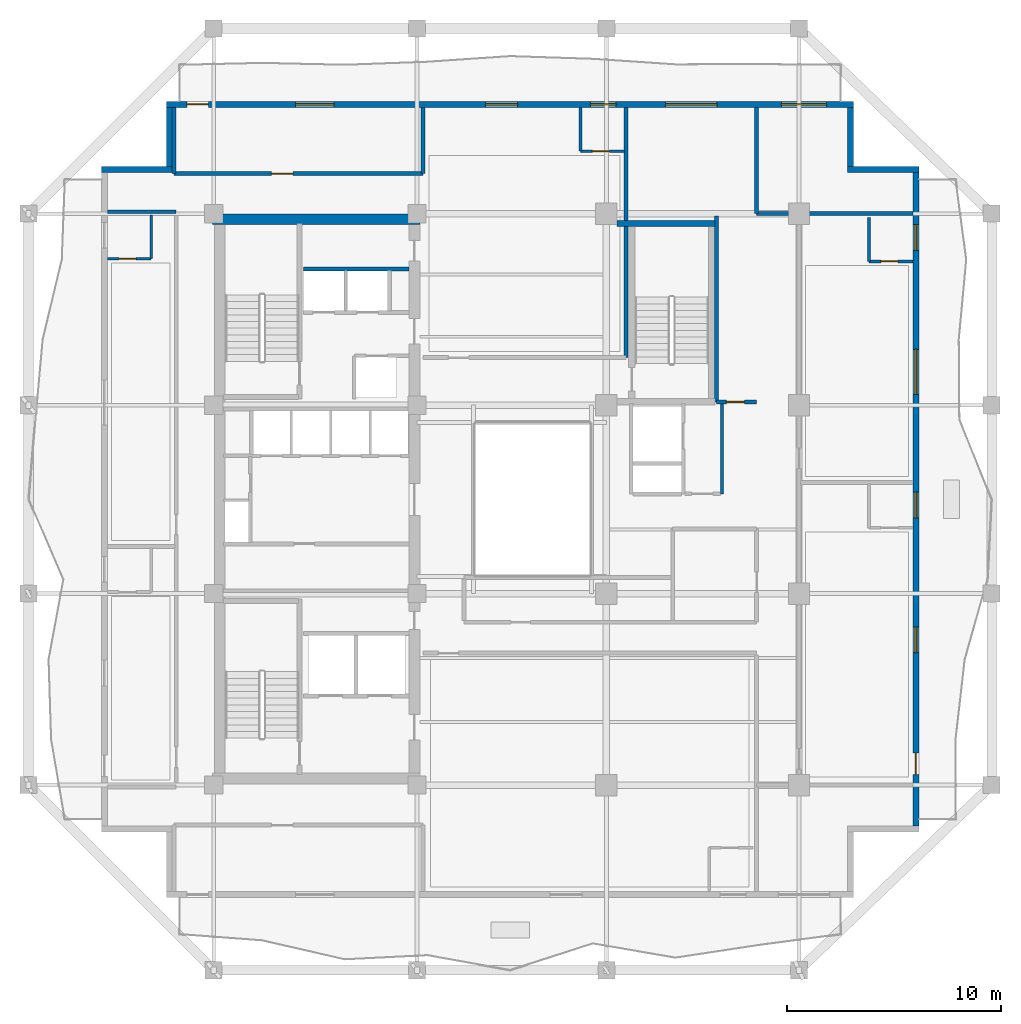
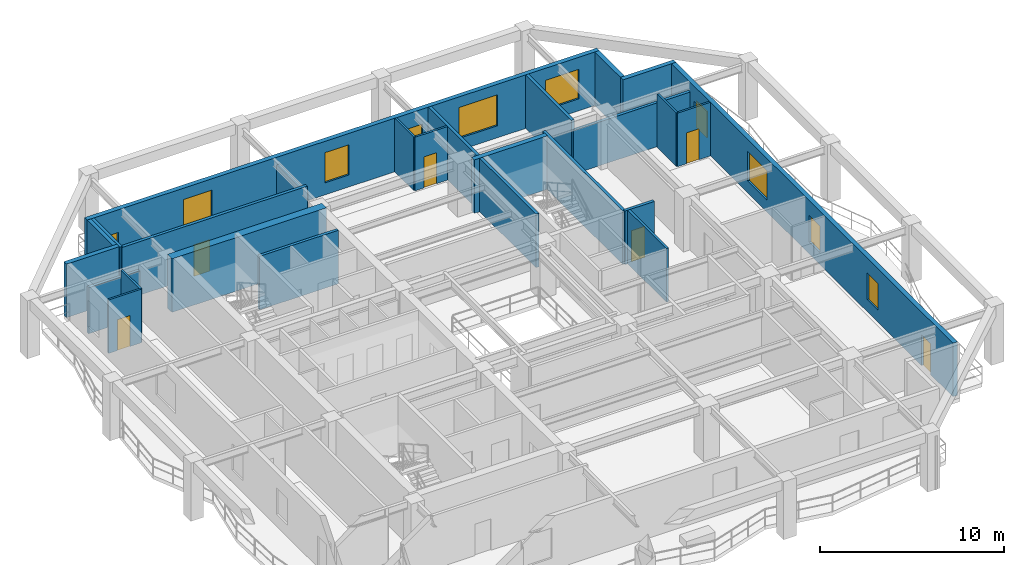
# One storey, part 5 of 10: 25 walls, 9 windows, 7 doors, 16 openings.
"""IFC4 building model written with IfcOpenShell, lengths in metres."""

import ifcopenshell
import ifcopenshell.guid

model = None  # the IFC model being written
_history = None  # IfcOwnerHistory: only IFC2X3 demands one
_inside = {}  # id of a spatial element -> (the spatial element, [elements in it])
_under = {}  # id of a project, library or spatial element -> (it, [spatial elements below it])
_declared = {}  # id of a project -> (the project, [libraries it declares])
_typed = {}  # id of a type object -> (the type object, [elements of that type])
_made_of = {}  # id of a material, layer set ... -> (it, [elements and type objects made of it])


def new_model(schema):
    """Start an empty IFC model of exactly this schema.

    Asked for "IFC4X3", IfcOpenShell would pick the latest addendum, in which some entities
    have other attributes; the version numbers below select the first issue.
    IFC2X3 requires an IfcOwnerHistory on every rooted entity: one is made here for all.
    """
    global model, _history
    if schema == "IFC4X3":
        model = ifcopenshell.file(schema_version=(4, 3, 0, 0))
    else:
        model = ifcopenshell.file(schema=schema)
    _inside.clear()
    _under.clear()
    _declared.clear()
    _typed.clear()
    _made_of.clear()
    _history = None
    if model.schema == "IFC2X3":
        org = make("IfcOrganization", Name="unknown")
        user = make(
            "IfcPersonAndOrganization",
            ThePerson=make("IfcPerson", FamilyName="unknown"),
            TheOrganization=org,
        )
        app = make(
            "IfcApplication",
            ApplicationDeveloper=org,
            Version="unknown",
            ApplicationFullName="unknown",
            ApplicationIdentifier="unknown",
        )
        _history = make(
            "IfcOwnerHistory",
            OwningUser=user,
            OwningApplication=app,
            ChangeAction="ADDED",
            CreationDate=0,
        )
    return model


def make(cls, **values):
    """One entity of the class cls with the attributes given. An attribute that is None is left unset."""
    return model.create_entity(
        cls, **{name: value for name, value in values.items() if value is not None}
    )


def rooted(cls, **values):
    """An entity with a GlobalId (a new one), such as an element, a storey or a relation."""
    return make(cls, GlobalId=ifcopenshell.guid.new(), OwnerHistory=_history, **values)


def si_unit(unit_type, name, prefix=None):
    """IfcSIUnit, for example si_unit("LENGTHUNIT", "METRE", prefix="MILLI")."""
    return make("IfcSIUnit", UnitType=unit_type, Prefix=prefix, Name=name)


def assignment(units):
    """IfcUnitAssignment: the units of a project."""
    return None if units is None else make("IfcUnitAssignment", Units=units)


def point(xyz):
    """IfcCartesianPoint."""
    return None if xyz is None else make("IfcCartesianPoint", Coordinates=xyz)


def direction(xyz):
    """IfcDirection."""
    return None if xyz is None else make("IfcDirection", DirectionRatios=xyz)


def frame(location, z_axis=None, x_axis=None):
    """IfcAxis2Placement3D, a coordinate frame: its origin and axes. An axis left out is left unset."""
    return make(
        "IfcAxis2Placement3D",
        Location=point(location),
        Axis=direction(z_axis),
        RefDirection=direction(x_axis),
    )


def frame_2d(location, x_axis=None):
    """IfcAxis2Placement2D, a coordinate frame in the plane: its origin and x axis."""
    return make(
        "IfcAxis2Placement2D", Location=point(location), RefDirection=direction(x_axis)
    )


def origin():
    """The frame at (0, 0, 0) with its axes left unset."""
    return frame((0.0, 0.0, 0.0))


def place(relative_to, where):
    """IfcLocalPlacement: puts the frame where relative to a parent placement (None: the world)."""
    return make(
        "IfcLocalPlacement", PlacementRelTo=relative_to, RelativePlacement=where
    )


def context(
    kind, dimensions, precision=None, world=None, true_north=None, identifier=None
):
    """IfcGeometricRepresentationContext, for example the 3D "Model" context."""
    return make(
        "IfcGeometricRepresentationContext",
        ContextIdentifier=identifier,
        ContextType=kind,
        CoordinateSpaceDimension=dimensions,
        Precision=precision,
        WorldCoordinateSystem=world,
        TrueNorth=true_north,
    )


def subcontext(parent, identifier, kind, view, scale=None):
    """IfcGeometricRepresentationSubContext, for example "Body" below "Model"."""
    return make(
        "IfcGeometricRepresentationSubContext",
        ContextIdentifier=identifier,
        ContextType=kind,
        ParentContext=parent,
        TargetScale=scale,
        TargetView=view,
    )


def project(units=None, contexts=None):
    """IfcProject with its units and contexts."""
    return rooted(
        "IfcProject",
        Name="project",
        RepresentationContexts=contexts,
        UnitsInContext=assignment(units),
    )


def spatial(cls, under=None, at=None, **own):
    """A site, building, storey or space (cls), placed at a placement, below another one or the project."""
    s = rooted(cls, ObjectPlacement=at, **own)
    if under is not None:
        _under.setdefault(under.id(), (under, []))[1].append(s)
    return s


def profile(cls, at=None, kind="AREA", **sizes):
    """A parametric profile (cls). Its sizes go by their IFC names, for example OverallWidth=200.0."""
    return make(cls, ProfileType=kind, Position=at, **sizes)


def rectangle(**sizes):
    """IfcRectangleProfileDef."""
    return profile("IfcRectangleProfileDef", **sizes)


def extrude(swept, where, along, depth):
    """IfcExtrudedAreaSolid: the profile swept, set in the frame where, extruded along a direction by depth."""
    return make(
        "IfcExtrudedAreaSolid",
        SweptArea=swept,
        Position=where,
        ExtrudedDirection=direction(along),
        Depth=depth,
    )


def shape(context_of_items, identifier, shape_type, items):
    """IfcShapeRepresentation: the items that make up one representation, for example the "Body"."""
    return make(
        "IfcShapeRepresentation",
        ContextOfItems=context_of_items,
        RepresentationIdentifier=identifier,
        RepresentationType=shape_type,
        Items=items,
    )


def material(Name=None, Category=None):
    """IfcMaterial."""
    return make("IfcMaterial", Name=Name, Category=Category)


def layer(
    of_material, thickness, ventilated=None, Name=None, Category=None, Priority=None
):
    """IfcMaterialLayer: one layer of a wall or slab, of a material (None: an air gap)."""
    return make(
        "IfcMaterialLayer",
        Material=of_material,
        LayerThickness=thickness,
        IsVentilated=ventilated,
        Name=Name,
        Category=Category,
        Priority=Priority,
    )


def layer_set(layers, Name=None):
    """IfcMaterialLayerSet."""
    return make("IfcMaterialLayerSet", MaterialLayers=layers, LayerSetName=Name)


def made_of(thing, what):
    """Note that an element or type object is made of a material, layer set ...; save() writes the relation."""
    if what is not None:
        _made_of.setdefault(what.id(), (what, []))[1].append(thing)
    return thing


def type_object(cls, material=None, **own):
    """A type object (cls), such as IfcWallType, which elements share."""
    return made_of(rooted(cls, **own), material)


def element(
    cls,
    number,
    at=None,
    inside=None,
    cuts=None,
    type_object=None,
    material=None,
    context=None,
    identifier="Body",
    shape_type=None,
    held_by="IfcProductDefinitionShape",
    body=None,
    shapes=None,
    **own,
):
    """One element of the class cls, such as IfcWall. Its Tag is "e" and its number.

    at: its placement. inside: the storey or other place that contains it. cuts: it is an
    opening in that element (IfcRelVoidsElement). A single representation is given by context,
    identifier, shape_type and body (its items); several are given by shapes. held_by: the class
    of the entity that holds the representations. save() writes the other relations.
    """
    e = rooted(cls, Tag="e%d" % number, ObjectPlacement=at, **own)
    if body is not None:
        shapes = [shape(context, identifier, shape_type, body)]
    if shapes is not None:
        e.Representation = make(held_by, Representations=shapes)
    if inside is not None:
        _inside.setdefault(inside.id(), (inside, []))[1].append(e)
    if cuts is not None:
        rooted(
            "IfcRelVoidsElement", RelatingBuildingElement=cuts, RelatedOpeningElement=e
        )
    if type_object is not None:
        _typed.setdefault(type_object.id(), (type_object, []))[1].append(e)
    return made_of(e, material)


def fill(opening, filler):
    """IfcRelFillsElement: the door or window that sits in an opening."""
    return rooted(
        "IfcRelFillsElement",
        RelatingOpeningElement=opening,
        RelatedBuildingElement=filler,
    )


def aggregate(whole, parts):
    """IfcRelAggregates: a whole, such as a stair, and the parts it consists of."""
    return rooted("IfcRelAggregates", RelatingObject=whole, RelatedObjects=parts)


def save(model, path):
    """Write the relations noted so far, then the file.

    IfcRelAggregates (storeys below a building ...), IfcRelContainedInSpatialStructure (elements
    in a storey), IfcRelDefinesByType, IfcRelAssociatesMaterial and IfcRelDeclares: one each for
    every whole, place, type object, material and project.
    """
    for whole, parts in _under.values():
        aggregate(whole, parts)
    for where, things in _inside.values():
        rooted(
            "IfcRelContainedInSpatialStructure",
            RelatedElements=things,
            RelatingStructure=where,
        )
    for kind, things in _typed.values():
        rooted("IfcRelDefinesByType", RelatedObjects=things, RelatingType=kind)
    for what, things in _made_of.values():
        rooted("IfcRelAssociatesMaterial", RelatedObjects=things, RelatingMaterial=what)
    for by, libraries in _declared.values():
        rooted("IfcRelDeclares", RelatingContext=by, RelatedDefinitions=libraries)
    model.write(path)


model = new_model("IFC4")

# Units and contexts
model_context = context("Model", 3, precision=1e-05, world=origin(), true_north=direction((0.0, 1.0)))
body_context = subcontext(model_context, "Body", "Model", "MODEL_VIEW")
ifc_project = project(units=[si_unit("LENGTHUNIT", "METRE"), si_unit("AREAUNIT", "SQUARE_METRE"), si_unit("VOLUMEUNIT", "CUBIC_METRE"), si_unit("PLANEANGLEUNIT", "RADIAN"), si_unit("MASSUNIT", "GRAM", prefix="KILO")], contexts=[model_context])

# Site, building, storey
site_placement = place(None, origin())
site = spatial("IfcSite", under=ifc_project, at=site_placement, CompositionType="ELEMENT")
building_placement = place(site_placement, origin())
building = spatial("IfcBuilding", under=site, at=building_placement, Name="Kundavana Baori Tower", CompositionType="ELEMENT")
storey_placement = place(building_placement, frame((0.0, 0.0, 150.199951171875)))
storey = spatial("IfcBuildingStorey", under=building, at=storey_placement, Name="L36", CompositionType="ELEMENT", Elevation=150.199951171875)

# Wall
ifc_material_1 = material(Name="Concrete C50/60", Category="concrete")
ifc_layer_1 = layer(ifc_material_1, 0.5, Name="WL-CORE-500")
ifc_layer_set_1 = layer_set([ifc_layer_1], Name="Concrete C50/60")
wall_type_1 = type_object("IfcWallType", Name="WL-CORE-500", PredefinedType="SHEAR", material=ifc_layer_set_1)
wall_1_placement = place(storey_placement, frame((15.39990234375, 41.68994140625, 0.0), z_axis=(0.0, 0.0, 1.0), x_axis=(1.0, 0.0, 0.0)))
element("IfcWall", 1, at=wall_1_placement, inside=storey, type_object=wall_type_1, Name="L36 Offset Core North Shear Wall", PredefinedType="SHEAR", context=body_context, shape_type="SweptSolid", body=[
    extrude(rectangle(XDim=9.68017578125, YDim=0.5, at=frame_2d((4.840087890625, 0.0))), origin(), (0.0, 0.0, 1.0), 3.550048828125),
])

# Wall, openings, door, windows
ifc_material_2 = material(Name="Red-Buff Dholpur Sandstone Cladding on Concrete C40/50", Category="masonry")
ifc_layer_2 = layer(ifc_material_2, 0.280029296875, Name="WL-EXT-SAND-280")
ifc_layer_set_2 = layer_set([ifc_layer_2], Name="Red-Buff Dholpur Sandstone Cladding on Concrete C40/50")
wall_type_2 = type_object("IfcWallType", Name="WL-EXT-SAND-280", PredefinedType="STANDARD", material=ifc_layer_set_2)
wall_2_placement = place(storey_placement, frame((48.260009765625, 13.330078125, 0.0), z_axis=(0.0, 0.0, 1.0), x_axis=(0.0, 1.0, 0.0)))
wall_2 = element("IfcWall", 2, at=wall_2_placement, inside=storey, type_object=wall_type_2, Name="L36 Exterior Insulated Facade Wall 04", PredefinedType="STANDARD", context=body_context, shape_type="SweptSolid", body=[
    extrude(rectangle(XDim=30.5400390625, YDim=0.280029296875, at=frame_2d((15.27001953125, 0.0))), origin(), (0.0, 0.0, 1.0), 3.550048828125),
])
opening_1_placement = place(wall_2_placement, frame((2.409912109375, 0.0, 0.0)))
opening_1 = element("IfcOpeningElement", 3, at=opening_1_placement, cuts=wall_2, Name="Opening BD-1", PredefinedType="OPENING", context=body_context, shape_type="SweptSolid", body=[
    extrude(rectangle(XDim=1.0, YDim=2.050048828125, at=frame_2d((0.5, 1.02490234375))), frame((0.0, 0.14990234375, 0.0), z_axis=(0.0, -1.0, 0.0), x_axis=(1.0, 0.0, 0.0)), (0.0, 0.0, 1.0), 0.300048828125),
])
opening_2_placement = place(wall_2_placement, frame((8.10498046875, 0.0, 0.800048828125)))
opening_2 = element("IfcOpeningElement", 4, at=opening_2_placement, cuts=wall_2, Name="Opening W-03", PredefinedType="OPENING", context=body_context, shape_type="SweptSolid", body=[
    extrude(rectangle(XDim=1.199951171875, YDim=1.75, at=frame_2d((0.60009765625, 0.875))), frame((0.0, 0.14990234375, 0.0), z_axis=(0.0, -1.0, 0.0), x_axis=(1.0, 0.0, 0.0)), (0.0, 0.0, 1.0), 0.300048828125),
])
opening_3_placement = place(wall_2_placement, frame((14.405029296875, 0.0, 0.800048828125)))
opening_3 = element("IfcOpeningElement", 5, at=opening_3_placement, cuts=wall_2, Name="Opening W-03", PredefinedType="OPENING", context=body_context, shape_type="SweptSolid", body=[
    extrude(rectangle(XDim=1.199951171875, YDim=1.75, at=frame_2d((0.60009765625, 0.875))), frame((0.0, 0.14990234375, 0.0), z_axis=(0.0, -1.0, 0.0), x_axis=(1.0, 0.0, 0.0)), (0.0, 0.0, 1.0), 0.300048828125),
])
opening_4_placement = place(wall_2_placement, frame((20.179931640625, 0.0, 0.800048828125)))
opening_4 = element("IfcOpeningElement", 6, at=opening_4_placement, cuts=wall_2, Name="Opening W-05", PredefinedType="OPENING", context=body_context, shape_type="SweptSolid", body=[
    extrude(rectangle(XDim=2.10009765625, YDim=1.949951171875, at=frame_2d((1.050048828125, 0.97509765625))), frame((0.0, 0.14990234375, 0.0), z_axis=(0.0, -1.0, 0.0), x_axis=(1.0, 0.0, 0.0)), (0.0, 0.0, 1.0), 0.300048828125),
])
opening_5_placement = place(wall_2_placement, frame((26.905029296875, 0.0, 0.800048828125)))
opening_5 = element("IfcOpeningElement", 7, at=opening_5_placement, cuts=wall_2, Name="Opening W-03", PredefinedType="OPENING", context=body_context, shape_type="SweptSolid", body=[
    extrude(rectangle(XDim=1.199951171875, YDim=1.75, at=frame_2d((0.60009765625, 0.875))), frame((0.0, 0.14990234375, 0.0), z_axis=(0.0, -1.0, 0.0), x_axis=(1.0, 0.0, 0.0)), (0.0, 0.0, 1.0), 0.300048828125),
])
ifc_material_3 = material(Name="Architectural Patinated Bronze Metalwork")
door_type_1 = type_object("IfcDoorType", Name="DR-EXT-LOG-1000", OperationType="NOTDEFINED", PredefinedType="DOOR", material=ifc_material_3)
door_1_placement = place(opening_1_placement, frame((1.0, 0.0, 0.0), z_axis=(0.0, 0.0, 1.0), x_axis=(-1.0, 0.0, 0.0)))
door_1 = element("IfcDoor", 8, at=door_1_placement, inside=storey, type_object=door_type_1, Name="L36 Loggia Balcony Access Door E", OperationType="SINGLE_SWING_RIGHT", OverallHeight=2.050048828125, OverallWidth=1.0, PredefinedType="DOOR", context=body_context, shape_type="SweptSolid", body=[
    extrude(rectangle(XDim=1.0, YDim=2.050048828125, at=frame_2d((0.5, 1.02490234375))), frame((0.0, 0.02490234375, 0.0), z_axis=(0.0, -1.0, 0.0), x_axis=(1.0, 0.0, 0.0)), (0.0, 0.0, 1.0), 0.050048828125),
])
fill(opening_1, door_1)
ifc_material_4 = material(Name="Double-Glazed Solar-Control Low-E Insulated Glass", Category="glass")
window_type_1 = type_object("IfcWindowType", Name="WIN-LOG-1200x1750", PartitioningType="SINGLE_PANEL", PredefinedType="WINDOW", material=ifc_material_4)
window_1_placement = place(opening_2_placement, origin())
window_1 = element("IfcWindow", 9, at=window_1_placement, inside=storey, type_object=window_type_1, Name="L36 Recessed Loggia Window E-1", OverallHeight=1.75, OverallWidth=1.199951171875, PartitioningType="SINGLE_PANEL", PredefinedType="WINDOW", context=body_context, shape_type="SweptSolid", body=[
    extrude(rectangle(XDim=1.199951171875, YDim=1.75, at=frame_2d((0.60009765625, 0.875))), frame((0.0, 0.030029296875, 0.0), z_axis=(0.0, -1.0, 0.0), x_axis=(1.0, 0.0, 0.0)), (0.0, 0.0, 1.0), 0.06005859375),
])
fill(opening_2, window_1)
window_2_placement = place(opening_3_placement, origin())
window_2 = element("IfcWindow", 10, at=window_2_placement, inside=storey, type_object=window_type_1, Name="L36 Recessed Loggia Window E-2", OverallHeight=1.75, OverallWidth=1.199951171875, PartitioningType="SINGLE_PANEL", PredefinedType="WINDOW", context=body_context, shape_type="SweptSolid", body=[
    extrude(rectangle(XDim=1.199951171875, YDim=1.75, at=frame_2d((0.60009765625, 0.875))), frame((0.0, 0.030029296875, 0.0), z_axis=(0.0, -1.0, 0.0), x_axis=(1.0, 0.0, 0.0)), (0.0, 0.0, 1.0), 0.06005859375),
])
fill(opening_3, window_2)
window_3_placement = place(opening_5_placement, origin())
window_3 = element("IfcWindow", 11, at=window_3_placement, inside=storey, type_object=window_type_1, Name="L36 Recessed Loggia Window E-4", OverallHeight=1.75, OverallWidth=1.199951171875, PartitioningType="SINGLE_PANEL", PredefinedType="WINDOW", context=body_context, shape_type="SweptSolid", body=[
    extrude(rectangle(XDim=1.199951171875, YDim=1.75, at=frame_2d((0.60009765625, 0.875))), frame((0.0, 0.030029296875, 0.0), z_axis=(0.0, -1.0, 0.0), x_axis=(1.0, 0.0, 0.0)), (0.0, 0.0, 1.0), 0.06005859375),
])
fill(opening_5, window_3)
ifc_material_5 = material(Name="Double-Glazed Solar-Control Low-E Insulated Glass", Category="glass")
window_type_2 = type_object("IfcWindowType", Name="WIN-LOG-2100x1950", PartitioningType="SINGLE_PANEL", PredefinedType="WINDOW", material=ifc_material_5)
window_4_placement = place(opening_4_placement, origin())
window_4 = element("IfcWindow", 12, at=window_4_placement, inside=storey, type_object=window_type_2, Name="L36 Recessed Loggia Window E-3", OverallHeight=1.949951171875, OverallWidth=2.10009765625, PartitioningType="SINGLE_PANEL", PredefinedType="WINDOW", context=body_context, shape_type="SweptSolid", body=[
    extrude(rectangle(XDim=2.10009765625, YDim=1.949951171875, at=frame_2d((1.050048828125, 0.97509765625))), frame((0.0, 0.030029296875, 0.0), z_axis=(0.0, -1.0, 0.0), x_axis=(1.0, 0.0, 0.0)), (0.0, 0.0, 1.0), 0.06005859375),
])
fill(opening_4, window_4)

# Walls
wall_3_placement = place(storey_placement, frame((48.39990234375, 44.010009765625, 0.0), z_axis=(0.0, 0.0, 1.0), x_axis=(-1.0, 0.0, 0.0)))
element("IfcWall", 13, at=wall_3_placement, inside=storey, type_object=wall_type_2, Name="L36 Exterior Insulated Facade Wall 05", PredefinedType="STANDARD", context=body_context, shape_type="SweptSolid", body=[
    extrude(rectangle(XDim=3.329833984375, YDim=0.280029296875, at=frame_2d((1.6650390625, 0.0))), origin(), (0.0, 0.0, 1.0), 3.550048828125),
])
wall_4_placement = place(storey_placement, frame((45.2099609375, 44.14990234375, 0.0), z_axis=(0.0, 0.0, 1.0), x_axis=(0.0, 1.0, 0.0)))
element("IfcWall", 14, at=wall_4_placement, inside=storey, type_object=wall_type_2, Name="L36 Exterior Insulated Facade Wall 06", PredefinedType="STANDARD", context=body_context, shape_type="SweptSolid", body=[
    extrude(rectangle(XDim=2.77001953125, YDim=0.280029296875, at=frame_2d((1.385009765625, 0.0))), origin(), (0.0, 0.0, 1.0), 3.550048828125),
])

# Wall, openings, door, windows
wall_5_placement = place(storey_placement, frame((45.35009765625, 47.06005859375, 0.0), z_axis=(0.0, 0.0, 1.0), x_axis=(-1.0, 0.0, 0.0)))
wall_5 = element("IfcWall", 15, at=wall_5_placement, inside=storey, type_object=wall_type_2, Name="L36 Exterior Insulated Facade Wall 07", PredefinedType="STANDARD", context=body_context, shape_type="SweptSolid", body=[
    extrude(rectangle(XDim=32.10009765625, YDim=0.280029296875, at=frame_2d((16.050048828125, 0.0))), origin(), (0.0, 0.0, 1.0), 3.550048828125),
])
opening_6_placement = place(wall_5_placement, frame((30.14990234375, 0.0, 0.0)))
opening_6 = element("IfcOpeningElement", 16, at=opening_6_placement, cuts=wall_5, Name="Opening BD-1", PredefinedType="OPENING", context=body_context, shape_type="SweptSolid", body=[
    extrude(rectangle(XDim=1.0, YDim=2.050048828125, at=frame_2d((0.5, 1.02490234375))), frame((0.0, 0.14990234375, 0.0), z_axis=(0.0, -1.0, 0.0), x_axis=(1.0, 0.0, 0.0)), (0.0, 0.0, 1.0), 0.300048828125),
])
opening_7_placement = place(wall_5_placement, frame((24.27001953125, 0.0, 0.800048828125)))
opening_7 = element("IfcOpeningElement", 17, at=opening_7_placement, cuts=wall_5, Name="Opening W-01", PredefinedType="OPENING", context=body_context, shape_type="SweptSolid", body=[
    extrude(rectangle(XDim=1.800048828125, YDim=2.0, at=frame_2d((0.89990234375, 1.0))), frame((0.0, 0.14990234375, 0.0), z_axis=(0.0, -1.0, 0.0), x_axis=(1.0, 0.0, 0.0)), (0.0, 0.0, 1.0), 0.300048828125),
])
opening_8_placement = place(wall_5_placement, frame((15.695068359375, 0.0, 0.800048828125)))
opening_8 = element("IfcOpeningElement", 18, at=opening_8_placement, cuts=wall_5, Name="Opening W-02", PredefinedType="OPENING", context=body_context, shape_type="SweptSolid", body=[
    extrude(rectangle(XDim=1.5, YDim=2.0, at=frame_2d((0.75, 1.0))), frame((0.0, 0.14990234375, 0.0), z_axis=(0.0, -1.0, 0.0), x_axis=(1.0, 0.0, 0.0)), (0.0, 0.0, 1.0), 0.300048828125),
])
opening_9_placement = place(wall_5_placement, frame((11.094970703125, 0.0, 0.800048828125)))
opening_9 = element("IfcOpeningElement", 19, at=opening_9_placement, cuts=wall_5, Name="Opening W-03", PredefinedType="OPENING", context=body_context, shape_type="SweptSolid", body=[
    extrude(rectangle(XDim=1.199951171875, YDim=1.75, at=frame_2d((0.60009765625, 0.875))), frame((0.0, 0.14990234375, 0.0), z_axis=(0.0, -1.0, 0.0), x_axis=(1.0, 0.0, 0.0)), (0.0, 0.0, 1.0), 0.300048828125),
])
opening_10_placement = place(wall_5_placement, frame((6.3798828125, 0.0, 0.800048828125)))
opening_10 = element("IfcOpeningElement", 20, at=opening_10_placement, cuts=wall_5, Name="Opening W-04", PredefinedType="OPENING", context=body_context, shape_type="SweptSolid", body=[
    extrude(rectangle(XDim=2.39990234375, YDim=2.050048828125, at=frame_2d((1.199951171875, 1.02490234375))), frame((0.0, 0.14990234375, 0.0), z_axis=(0.0, -1.0, 0.0), x_axis=(1.0, 0.0, 0.0)), (0.0, 0.0, 1.0), 0.300048828125),
])
opening_11_placement = place(wall_5_placement, frame((1.27001953125, 0.0, 0.800048828125)))
opening_11 = element("IfcOpeningElement", 21, at=opening_11_placement, cuts=wall_5, Name="Opening W-05", PredefinedType="OPENING", context=body_context, shape_type="SweptSolid", body=[
    extrude(rectangle(XDim=2.10009765625, YDim=1.949951171875, at=frame_2d((1.050048828125, 0.97509765625))), frame((0.0, 0.14990234375, 0.0), z_axis=(0.0, -1.0, 0.0), x_axis=(1.0, 0.0, 0.0)), (0.0, 0.0, 1.0), 0.300048828125),
])
door_2_placement = place(opening_6_placement, frame((1.0, 0.0, 0.0), z_axis=(0.0, 0.0, 1.0), x_axis=(-1.0, 0.0, 0.0)))
door_2 = element("IfcDoor", 22, at=door_2_placement, inside=storey, type_object=door_type_1, Name="L36 Loggia Balcony Access Door N", OperationType="SINGLE_SWING_LEFT", OverallHeight=2.050048828125, OverallWidth=1.0, PredefinedType="DOOR", context=body_context, shape_type="SweptSolid", body=[
    extrude(rectangle(XDim=1.0, YDim=2.050048828125, at=frame_2d((0.5, 1.02490234375))), frame((0.0, 0.02490234375, 0.0), z_axis=(0.0, -1.0, 0.0), x_axis=(1.0, 0.0, 0.0)), (0.0, 0.0, 1.0), 0.050048828125),
])
fill(opening_6, door_2)
window_5_placement = place(opening_9_placement, origin())
window_5 = element("IfcWindow", 23, at=window_5_placement, inside=storey, type_object=window_type_1, Name="L36 Recessed Loggia Window N-3", OverallHeight=1.75, OverallWidth=1.199951171875, PartitioningType="SINGLE_PANEL", PredefinedType="WINDOW", context=body_context, shape_type="SweptSolid", body=[
    extrude(rectangle(XDim=1.199951171875, YDim=1.75, at=frame_2d((0.60009765625, 0.875))), frame((0.0, 0.030029296875, 0.0), z_axis=(0.0, -1.0, 0.0), x_axis=(1.0, 0.0, 0.0)), (0.0, 0.0, 1.0), 0.06005859375),
])
fill(opening_9, window_5)
ifc_material_6 = material(Name="Double-Glazed Solar-Control Low-E Insulated Glass", Category="glass")
window_type_3 = type_object("IfcWindowType", Name="WIN-LOG-1500x2000", PartitioningType="SINGLE_PANEL", PredefinedType="WINDOW", material=ifc_material_6)
window_6_placement = place(opening_8_placement, origin())
window_6 = element("IfcWindow", 24, at=window_6_placement, inside=storey, type_object=window_type_3, Name="L36 Recessed Loggia Window N-2", OverallHeight=2.0, OverallWidth=1.5, PartitioningType="SINGLE_PANEL", PredefinedType="WINDOW", context=body_context, shape_type="SweptSolid", body=[
    extrude(rectangle(XDim=1.5, YDim=2.0, at=frame_2d((0.75, 1.0))), frame((0.0, 0.030029296875, 0.0), z_axis=(0.0, -1.0, 0.0), x_axis=(1.0, 0.0, 0.0)), (0.0, 0.0, 1.0), 0.06005859375),
])
fill(opening_8, window_6)
ifc_material_7 = material(Name="Double-Glazed Solar-Control Low-E Insulated Glass", Category="glass")
window_type_4 = type_object("IfcWindowType", Name="WIN-LOG-1800x2000", PartitioningType="SINGLE_PANEL", PredefinedType="WINDOW", material=ifc_material_7)
window_7_placement = place(opening_7_placement, origin())
window_7 = element("IfcWindow", 25, at=window_7_placement, inside=storey, type_object=window_type_4, Name="L36 Recessed Loggia Window N-1", OverallHeight=2.0, OverallWidth=1.800048828125, PartitioningType="SINGLE_PANEL", PredefinedType="WINDOW", context=body_context, shape_type="SweptSolid", body=[
    extrude(rectangle(XDim=1.800048828125, YDim=2.0, at=frame_2d((0.89990234375, 1.0))), frame((0.0, 0.030029296875, 0.0), z_axis=(0.0, -1.0, 0.0), x_axis=(1.0, 0.0, 0.0)), (0.0, 0.0, 1.0), 0.06005859375),
])
fill(opening_7, window_7)
window_8_placement = place(opening_11_placement, origin())
window_8 = element("IfcWindow", 26, at=window_8_placement, inside=storey, type_object=window_type_2, Name="L36 Recessed Loggia Window N-5", OverallHeight=1.949951171875, OverallWidth=2.10009765625, PartitioningType="SINGLE_PANEL", PredefinedType="WINDOW", context=body_context, shape_type="SweptSolid", body=[
    extrude(rectangle(XDim=2.10009765625, YDim=1.949951171875, at=frame_2d((1.050048828125, 0.97509765625))), frame((0.0, 0.030029296875, 0.0), z_axis=(0.0, -1.0, 0.0), x_axis=(1.0, 0.0, 0.0)), (0.0, 0.0, 1.0), 0.06005859375),
])
fill(opening_11, window_8)
ifc_material_8 = material(Name="Double-Glazed Solar-Control Low-E Insulated Glass", Category="glass")
window_type_5 = type_object("IfcWindowType", Name="WIN-LOG-2400x2050", PartitioningType="SINGLE_PANEL", PredefinedType="WINDOW", material=ifc_material_8)
window_9_placement = place(opening_10_placement, origin())
window_9 = element("IfcWindow", 27, at=window_9_placement, inside=storey, type_object=window_type_5, Name="L36 Recessed Loggia Window N-4", OverallHeight=2.050048828125, OverallWidth=2.39990234375, PartitioningType="SINGLE_PANEL", PredefinedType="WINDOW", context=body_context, shape_type="SweptSolid", body=[
    extrude(rectangle(XDim=2.39990234375, YDim=2.050048828125, at=frame_2d((1.199951171875, 1.02490234375))), frame((0.0, 0.030029296875, 0.0), z_axis=(0.0, -1.0, 0.0), x_axis=(1.0, 0.0, 0.0)), (0.0, 0.0, 1.0), 0.06005859375),
])
fill(opening_10, window_9)

# Walls
wall_6_placement = place(storey_placement, frame((13.389892578125, 46.919921875, 0.0), z_axis=(0.0, 0.0, 1.0), x_axis=(0.0, -1.0, 0.0)))
element("IfcWall", 28, at=wall_6_placement, inside=storey, type_object=wall_type_2, Name="L36 Exterior Insulated Facade Wall 08", PredefinedType="STANDARD", context=body_context, shape_type="SweptSolid", body=[
    extrude(rectangle(XDim=2.77001953125, YDim=0.280029296875, at=frame_2d((1.385009765625, 0.0))), origin(), (0.0, 0.0, 1.0), 3.550048828125),
])
wall_7_placement = place(storey_placement, frame((13.530029296875, 44.010009765625, 0.0), z_axis=(0.0, 0.0, 1.0), x_axis=(-1.0, 0.0, 0.0)))
element("IfcWall", 29, at=wall_7_placement, inside=storey, type_object=wall_type_2, Name="L36 Exterior Insulated Facade Wall 09", PredefinedType="STANDARD", context=body_context, shape_type="SweptSolid", body=[
    extrude(rectangle(XDim=3.330078125, YDim=0.280029296875, at=frame_2d((1.6650390625, 0.0))), origin(), (0.0, 0.0, 1.0), 3.550048828125),
])
ifc_material_9 = material(Name="Fire-Rated Gypsum Drywall on Galvanised Steel Studs", Category="steel")
ifc_layer_3 = layer(ifc_material_9, 0.14990234375, Name="WL-PART-150")
ifc_layer_set_3 = layer_set([ifc_layer_3], Name="Fire-Rated Gypsum Drywall on Galvanised Steel Studs")
wall_type_3 = type_object("IfcWallType", Name="WL-PART-150", PredefinedType="PARTITIONING", material=ifc_layer_set_3)
wall_8_placement = place(storey_placement, frame((39.199951171875, 28.860107421875, 0.0), z_axis=(0.0, 0.0, 1.0), x_axis=(0.0, 1.0, 0.0)))
element("IfcWall", 30, at=wall_8_placement, inside=storey, type_object=wall_type_3, Name="WL-L36-SVLOB-E", PredefinedType="PARTITIONING", context=body_context, shape_type="SweptSolid", body=[
    extrude(rectangle(XDim=4.219970703125, YDim=0.14990234375, at=frame_2d((2.10986328125, 0.0))), origin(), (0.0, 0.0, 1.0), 3.550048828125),
])
ifc_material_10 = material(Name="Autoclaved Aerated Concrete Blockwork Masonry", Category="masonry")
ifc_layer_4 = layer(ifc_material_10, 0.18505859375, Name="WL-PART-180")
ifc_layer_set_4 = layer_set([ifc_layer_4], Name="Autoclaved Aerated Concrete Blockwork Masonry")
wall_type_4 = type_object("IfcWallType", Name="WL-PART-180", PredefinedType="SOLIDWALL", material=ifc_layer_set_4)
wall_9_placement = place(storey_placement, frame((40.820068359375, 41.949951171875, 0.0), z_axis=(0.0, 0.0, 1.0), x_axis=(1.0, 0.0, 0.0)))
element("IfcWall", 31, at=wall_9_placement, inside=storey, type_object=wall_type_4, Name="WL-L36-HEN", PredefinedType="SOLIDWALL", context=body_context, shape_type="SweptSolid", body=[
    extrude(rectangle(XDim=7.300048828125, YDim=0.18505859375, at=frame_2d((3.64990234375, 0.0))), origin(), (0.0, 0.0, 1.0), 2.900146484375),
])
wall_10_placement = place(storey_placement, frame((10.47998046875, 42.0400390625, 0.0), z_axis=(0.0, 0.0, 1.0), x_axis=(1.0, 0.0, 0.0)))
element("IfcWall", 32, at=wall_10_placement, inside=storey, type_object=wall_type_4, Name="WL-L36-HWN", PredefinedType="SOLIDWALL", context=body_context, shape_type="SweptSolid", body=[
    extrude(rectangle(XDim=3.219970703125, YDim=0.18505859375, at=frame_2d((1.60986328125, 0.0))), origin(), (0.0, 0.0, 1.0), 3.050048828125),
])

# Wall, opening, door
wall_11_placement = place(storey_placement, frame((13.590087890625, 43.820068359375, 0.0), z_axis=(0.0, 0.0, 1.0), x_axis=(1.0, 0.0, 0.0)))
wall_11 = element("IfcWall", 33, at=wall_11_placement, inside=storey, type_object=wall_type_4, Name="WL-L36-HNC", PredefinedType="SOLIDWALL", context=body_context, shape_type="SweptSolid", body=[
    extrude(rectangle(XDim=11.6298828125, YDim=0.18505859375, at=frame_2d((5.81494140625, 0.0))), origin(), (0.0, 0.0, 1.0), 3.550048828125),
])
opening_12_placement = place(wall_11_placement, frame((4.56005859375, 0.0, 0.0)))
opening_12 = element("IfcOpeningElement", 34, at=opening_12_placement, cuts=wall_11, Name="Opening ID-100", PredefinedType="OPENING", context=body_context, shape_type="SweptSolid", body=[
    extrude(rectangle(XDim=1.0, YDim=2.080078125, at=frame_2d((0.5, 1.0400390625))), frame((0.0, 0.1025390625, 0.0), z_axis=(0.0, -1.0, 0.0), x_axis=(1.0, 0.0, 0.0)), (0.0, 0.0, 1.0), 0.205078125),
])
ifc_material_11 = material(Name="Engineered Teak Solid-Core Timber Veneer", Category="wood")
door_type_2 = type_object("IfcDoorType", Name="DR-INT-1000", OperationType="NOTDEFINED", PredefinedType="DOOR", material=ifc_material_11)
door_3_placement = place(opening_12_placement, origin())
door_3 = element("IfcDoor", 35, at=door_3_placement, inside=storey, type_object=door_type_2, Name="DR-L36-HMNW", OperationType="SINGLE_SWING_RIGHT", OverallHeight=2.080078125, OverallWidth=1.0, PredefinedType="DOOR", context=body_context, shape_type="SweptSolid", body=[
    extrude(rectangle(XDim=1.0, YDim=2.080078125, at=frame_2d((0.5, 1.0400390625))), frame((0.0, 0.02490234375, 0.0), z_axis=(0.0, -1.0, 0.0), x_axis=(1.0, 0.0, 0.0)), (0.0, 0.0, 1.0), 0.050048828125),
])
fill(opening_12, door_3)

# Walls
wall_12_placement = place(storey_placement, frame((13.590087890625, 43.820068359375, 0.0), z_axis=(0.0, 0.0, 1.0), x_axis=(0.0, 1.0, 0.0)))
element("IfcWall", 36, at=wall_12_placement, inside=storey, type_object=wall_type_4, Name="WL-L36-HNCW", PredefinedType="SOLIDWALL", context=body_context, shape_type="SweptSolid", body=[
    extrude(rectangle(XDim=3.099853515625, YDim=0.18505859375, at=frame_2d((1.5498046875, 0.0))), origin(), (0.0, 0.0, 1.0), 3.550048828125),
])
wall_13_placement = place(storey_placement, frame((25.219970703125, 43.820068359375, 0.0), z_axis=(0.0, 0.0, 1.0), x_axis=(0.0, 1.0, 0.0)))
element("IfcWall", 37, at=wall_13_placement, inside=storey, type_object=wall_type_4, Name="WL-L36-HNCE", PredefinedType="SOLIDWALL", context=body_context, shape_type="SweptSolid", body=[
    extrude(rectangle(XDim=3.099853515625, YDim=0.18505859375, at=frame_2d((1.5498046875, 0.0))), origin(), (0.0, 0.0, 1.0), 3.050048828125),
])
wall_14_placement = place(storey_placement, frame((34.719970703125, 35.219970703125, 0.0), z_axis=(0.0, 0.0, 1.0), x_axis=(0.0, 1.0, 0.0)))
element("IfcWall", 38, at=wall_14_placement, inside=storey, type_object=wall_type_4, Name="WL-L36-HNEND", PredefinedType="SOLIDWALL", context=body_context, shape_type="SweptSolid", body=[
    extrude(rectangle(XDim=11.699951171875, YDim=0.18505859375, at=frame_2d((5.85009765625, 0.0))), origin(), (0.0, 0.0, 1.0), 3.550048828125),
])

# Wall, opening, door
wall_15_placement = place(storey_placement, frame((38.949951171875, 33.14990234375, 0.0), z_axis=(0.0, 0.0, 1.0), x_axis=(1.0, 0.0, 0.0)))
wall_15 = element("IfcWall", 39, at=wall_15_placement, inside=storey, type_object=wall_type_4, Name="WL-L36-HNES", PredefinedType="SOLIDWALL", context=body_context, shape_type="SweptSolid", body=[
    extrude(rectangle(XDim=1.8701171875, YDim=0.18505859375, at=frame_2d((0.93505859375, 0.0))), origin(), (0.0, 0.0, 1.0), 3.550048828125),
])
opening_13_placement = place(wall_15_placement, frame((0.449951171875, 0.0, 0.0)))
opening_13 = element("IfcOpeningElement", 40, at=opening_13_placement, cuts=wall_15, Name="Opening WD-085", PredefinedType="OPENING", context=body_context, shape_type="SweptSolid", body=[
    extrude(rectangle(XDim=0.85009765625, YDim=2.050048828125, at=frame_2d((0.425048828125, 1.02490234375))), frame((0.0, 0.1025390625, 0.0), z_axis=(0.0, -1.0, 0.0), x_axis=(1.0, 0.0, 0.0)), (0.0, 0.0, 1.0), 0.205078125),
])
ifc_material_12 = material(Name="Engineered Teak Solid-Core Timber Veneer", Category="wood")
door_type_3 = type_object("IfcDoorType", Name="DR-WET-850", OperationType="NOTDEFINED", PredefinedType="DOOR", material=ifc_material_12)
door_4_placement = place(opening_13_placement, origin())
door_4 = element("IfcDoor", 41, at=door_4_placement, inside=storey, type_object=door_type_3, Name="DR-L36-HLNE", OperationType="SINGLE_SWING_LEFT", OverallHeight=2.050048828125, OverallWidth=0.85009765625, PredefinedType="DOOR", context=body_context, shape_type="SweptSolid", body=[
    extrude(rectangle(XDim=0.85009765625, YDim=2.050048828125, at=frame_2d((0.425048828125, 1.02490234375))), frame((0.0, 0.02490234375, 0.0), z_axis=(0.0, -1.0, 0.0), x_axis=(1.0, 0.0, 0.0)), (0.0, 0.0, 1.0), 0.050048828125),
])
fill(opening_13, door_4)

# Walls
wall_16_placement = place(storey_placement, frame((38.949951171875, 33.14990234375, 0.0), z_axis=(0.0, 0.0, 1.0), x_axis=(0.0, 1.0, 0.0)))
element("IfcWall", 42, at=wall_16_placement, inside=storey, type_object=wall_type_4, Name="WL-L36-HNEW", PredefinedType="SOLIDWALL", context=body_context, shape_type="SweptSolid", body=[
    extrude(rectangle(XDim=8.7001953125, YDim=0.18505859375, at=frame_2d((4.35009765625, 0.0))), origin(), (0.0, 0.0, 1.0), 3.550048828125),
])
wall_17_placement = place(storey_placement, frame((40.820068359375, 41.949951171875, 0.0), z_axis=(0.0, 0.0, 1.0), x_axis=(0.0, 1.0, 0.0)))
element("IfcWall", 43, at=wall_17_placement, inside=storey, type_object=wall_type_4, Name="WL-L36-HNEE", PredefinedType="SOLIDWALL", context=body_context, shape_type="SweptSolid", body=[
    extrude(rectangle(XDim=4.969970703125, YDim=0.18505859375, at=frame_2d((2.48486328125, 0.0))), origin(), (0.0, 0.0, 1.0), 3.550048828125),
])
ifc_material_13 = material(Name="Autoclaved Aerated Concrete Blockwork Masonry", Category="masonry")
ifc_layer_5 = layer(ifc_material_13, 0.179931640625, Name="WL-SHAFT-180")
ifc_layer_set_5 = layer_set([ifc_layer_5], Name="Autoclaved Aerated Concrete Blockwork Masonry")
wall_type_5 = type_object("IfcWallType", Name="WL-SHAFT-180", PredefinedType="SOLIDWALL", material=ifc_layer_set_5)
wall_18_placement = place(storey_placement, frame((19.639892578125, 39.360107421875, 0.0), z_axis=(0.0, 0.0, 1.0), x_axis=(1.0, 0.0, 0.0)))
element("IfcWall", 44, at=wall_18_placement, inside=storey, type_object=wall_type_5, Name="WL-L36-HRLOB-TOP", PredefinedType="SOLIDWALL", context=body_context, shape_type="SweptSolid", body=[
    extrude(rectangle(XDim=4.940185546875, YDim=0.179931640625, at=frame_2d((2.47021484375, 0.0))), origin(), (0.0, 0.0, 1.0), 3.550048828125),
])
ifc_material_14 = material(Name="Concrete C50/60", Category="concrete")
ifc_layer_6 = layer(ifc_material_14, 0.300048828125, Name="WL-ST3-300")
ifc_layer_set_6 = layer_set([ifc_layer_6], Name="Concrete C50/60")
wall_type_6 = type_object("IfcWallType", Name="WL-ST3-300", PredefinedType="SHEAR", material=ifc_layer_set_6)
wall_19_placement = place(storey_placement, frame((34.300048828125, 41.489990234375, 0.0), z_axis=(0.0, 0.0, 1.0), x_axis=(1.0, 0.0, 0.0)))
element("IfcWall", 45, at=wall_19_placement, inside=storey, type_object=wall_type_6, Name="L36 Stair ST3 North Shear Wall", PredefinedType="SHEAR", context=body_context, shape_type="SweptSolid", body=[
    extrude(rectangle(XDim=4.570068359375, YDim=0.300048828125, at=frame_2d((2.28515625, 0.0))), origin(), (0.0, 0.0, 1.0), 3.550048828125),
])
ifc_material_15 = material(Name="Autoclaved Aerated Concrete Blockwork Masonry", Category="masonry")
ifc_layer_7 = layer(ifc_material_15, 0.125, Name="WL-WET-120")
ifc_layer_set_7 = layer_set([ifc_layer_7], Name="Autoclaved Aerated Concrete Blockwork Masonry")
wall_type_7 = type_object("IfcWallType", Name="WL-WET-120", PredefinedType="PLUMBINGWALL", material=ifc_layer_set_7)
wall_20_placement = place(storey_placement, frame((12.530029296875, 39.85009765625, 0.0), z_axis=(0.0, 0.0, 1.0), x_axis=(0.0, 1.0, 0.0)))
element("IfcWall", 46, at=wall_20_placement, inside=storey, type_object=wall_type_7, Name="WL-L36-HK-W2-BE", PredefinedType="PLUMBINGWALL", context=body_context, shape_type="SweptSolid", body=[
    extrude(rectangle(XDim=2.0498046875, YDim=0.125, at=frame_2d((1.02490234375, 0.0))), origin(), (0.0, 0.0, 1.0), 3.550048828125),
])

# Wall, opening, door
wall_21_placement = place(storey_placement, frame((10.47998046875, 39.85009765625, 0.0), z_axis=(0.0, 0.0, 1.0), x_axis=(1.0, 0.0, 0.0)))
wall_21 = element("IfcWall", 47, at=wall_21_placement, inside=storey, type_object=wall_type_7, Name="WL-L36-HK-W2-BS", PredefinedType="PLUMBINGWALL", context=body_context, shape_type="SweptSolid", body=[
    extrude(rectangle(XDim=2.050048828125, YDim=0.125, at=frame_2d((1.02490234375, 0.0))), origin(), (0.0, 0.0, 1.0), 3.550048828125),
])
opening_14_placement = place(wall_21_placement, frame((0.550048828125, 0.0, 0.0)))
opening_14 = element("IfcOpeningElement", 48, at=opening_14_placement, cuts=wall_21, Name="Opening WD-080", PredefinedType="OPENING", context=body_context, shape_type="SweptSolid", body=[
    extrude(rectangle(XDim=0.800048828125, YDim=2.050048828125, at=frame_2d((0.39990234375, 1.02490234375))), frame((0.0, 0.072509765625, 0.0), z_axis=(0.0, -1.0, 0.0), x_axis=(1.0, 0.0, 0.0)), (0.0, 0.0, 1.0), 0.14501953125),
])
ifc_material_16 = material(Name="Engineered Teak Solid-Core Timber Veneer", Category="wood")
door_type_4 = type_object("IfcDoorType", Name="DR-WET-800", OperationType="NOTDEFINED", PredefinedType="DOOR", material=ifc_material_16)
door_5_placement = place(opening_14_placement, frame((0.800048828125, 0.0, 0.0), z_axis=(0.0, 0.0, 1.0), x_axis=(-1.0, 0.0, 0.0)))
door_5 = element("IfcDoor", 49, at=door_5_placement, inside=storey, type_object=door_type_4, Name="DR-L36-HK-W2-ENS", OperationType="SINGLE_SWING_LEFT", OverallHeight=2.050048828125, OverallWidth=0.800048828125, PredefinedType="DOOR", context=body_context, shape_type="SweptSolid", body=[
    extrude(rectangle(XDim=0.800048828125, YDim=2.050048828125, at=frame_2d((0.39990234375, 1.02490234375))), frame((0.0, 0.02490234375, 0.0), z_axis=(0.0, -1.0, 0.0), x_axis=(1.0, 0.0, 0.0)), (0.0, 0.0, 1.0), 0.050048828125),
])
fill(opening_14, door_5)

# Wall
wall_22_placement = place(storey_placement, frame((46.070068359375, 39.719970703125, 0.0), z_axis=(0.0, 0.0, 1.0), x_axis=(0.0, 1.0, 0.0)))
element("IfcWall", 50, at=wall_22_placement, inside=storey, type_object=wall_type_7, Name="WL-L36-HK-E2-BW", PredefinedType="PLUMBINGWALL", context=body_context, shape_type="SweptSolid", body=[
    extrude(rectangle(XDim=2.050048828125, YDim=0.125, at=frame_2d((1.02490234375, 0.0))), origin(), (0.0, 0.0, 1.0), 3.550048828125),
])

# Wall, opening, door
wall_23_placement = place(storey_placement, frame((46.070068359375, 39.719970703125, 0.0), z_axis=(0.0, 0.0, 1.0), x_axis=(1.0, 0.0, 0.0)))
wall_23 = element("IfcWall", 51, at=wall_23_placement, inside=storey, type_object=wall_type_7, Name="WL-L36-HK-E2-BS", PredefinedType="PLUMBINGWALL", context=body_context, shape_type="SweptSolid", body=[
    extrude(rectangle(XDim=2.050048828125, YDim=0.125, at=frame_2d((1.02490234375, 0.0))), origin(), (0.0, 0.0, 1.0), 3.550048828125),
])
opening_15_placement = place(wall_23_placement, frame((0.550048828125, 0.0, 0.0)))
opening_15 = element("IfcOpeningElement", 52, at=opening_15_placement, cuts=wall_23, Name="Opening WD-080", PredefinedType="OPENING", context=body_context, shape_type="SweptSolid", body=[
    extrude(rectangle(XDim=0.800048828125, YDim=2.050048828125, at=frame_2d((0.39990234375, 1.02490234375))), frame((0.0, 0.072509765625, 0.0), z_axis=(0.0, -1.0, 0.0), x_axis=(1.0, 0.0, 0.0)), (0.0, 0.0, 1.0), 0.14501953125),
])
door_6_placement = place(opening_15_placement, frame((0.800048828125, 0.0, 0.0), z_axis=(0.0, 0.0, 1.0), x_axis=(-1.0, 0.0, 0.0)))
door_6 = element("IfcDoor", 53, at=door_6_placement, inside=storey, type_object=door_type_4, Name="DR-L36-HK-E2-ENS", OperationType="SINGLE_SWING_LEFT", OverallHeight=2.050048828125, OverallWidth=0.800048828125, PredefinedType="DOOR", context=body_context, shape_type="SweptSolid", body=[
    extrude(rectangle(XDim=0.800048828125, YDim=2.050048828125, at=frame_2d((0.39990234375, 1.02490234375))), frame((0.0, 0.02490234375, 0.0), z_axis=(0.0, -1.0, 0.0), x_axis=(1.0, 0.0, 0.0)), (0.0, 0.0, 1.0), 0.050048828125),
])
fill(opening_15, door_6)

# Wall
wall_24_placement = place(storey_placement, frame((32.590087890625, 44.8701171875, 0.0), z_axis=(0.0, 0.0, 1.0), x_axis=(0.0, 1.0, 0.0)))
element("IfcWall", 54, at=wall_24_placement, inside=storey, type_object=wall_type_7, Name="WL-L36-HK-N1-BW", PredefinedType="PLUMBINGWALL", context=body_context, shape_type="SweptSolid", body=[
    extrude(rectangle(XDim=2.0498046875, YDim=0.125, at=frame_2d((1.02490234375, 0.0))), origin(), (0.0, 0.0, 1.0), 3.550048828125),
])

# Wall, opening, door
wall_25_placement = place(storey_placement, frame((32.590087890625, 44.8701171875, 0.0), z_axis=(0.0, 0.0, 1.0), x_axis=(1.0, 0.0, 0.0)))
wall_25 = element("IfcWall", 55, at=wall_25_placement, inside=storey, type_object=wall_type_7, Name="WL-L36-HK-N1-BS", PredefinedType="PLUMBINGWALL", context=body_context, shape_type="SweptSolid", body=[
    extrude(rectangle(XDim=2.0498046875, YDim=0.125, at=frame_2d((1.02490234375, 0.0))), origin(), (0.0, 0.0, 1.0), 3.550048828125),
])
opening_16_placement = place(wall_25_placement, frame((0.550048828125, 0.0, 0.0)))
opening_16 = element("IfcOpeningElement", 56, at=opening_16_placement, cuts=wall_25, Name="Opening WD-080", PredefinedType="OPENING", context=body_context, shape_type="SweptSolid", body=[
    extrude(rectangle(XDim=0.800048828125, YDim=2.050048828125, at=frame_2d((0.39990234375, 1.02490234375))), frame((0.0, 0.072509765625, 0.0), z_axis=(0.0, -1.0, 0.0), x_axis=(1.0, 0.0, 0.0)), (0.0, 0.0, 1.0), 0.14501953125),
])
door_7_placement = place(opening_16_placement, frame((0.800048828125, 0.0, 0.0), z_axis=(0.0, 0.0, 1.0), x_axis=(-1.0, 0.0, 0.0)))
door_7 = element("IfcDoor", 57, at=door_7_placement, inside=storey, type_object=door_type_4, Name="DR-L36-HK-N1-ENS", OperationType="SINGLE_SWING_LEFT", OverallHeight=2.050048828125, OverallWidth=0.800048828125, PredefinedType="DOOR", context=body_context, shape_type="SweptSolid", body=[
    extrude(rectangle(XDim=0.800048828125, YDim=2.050048828125, at=frame_2d((0.39990234375, 1.02490234375))), frame((0.0, 0.02490234375, 0.0), z_axis=(0.0, -1.0, 0.0), x_axis=(1.0, 0.0, 0.0)), (0.0, 0.0, 1.0), 0.050048828125),
])
fill(opening_16, door_7)

save(model, "model.ifc")
